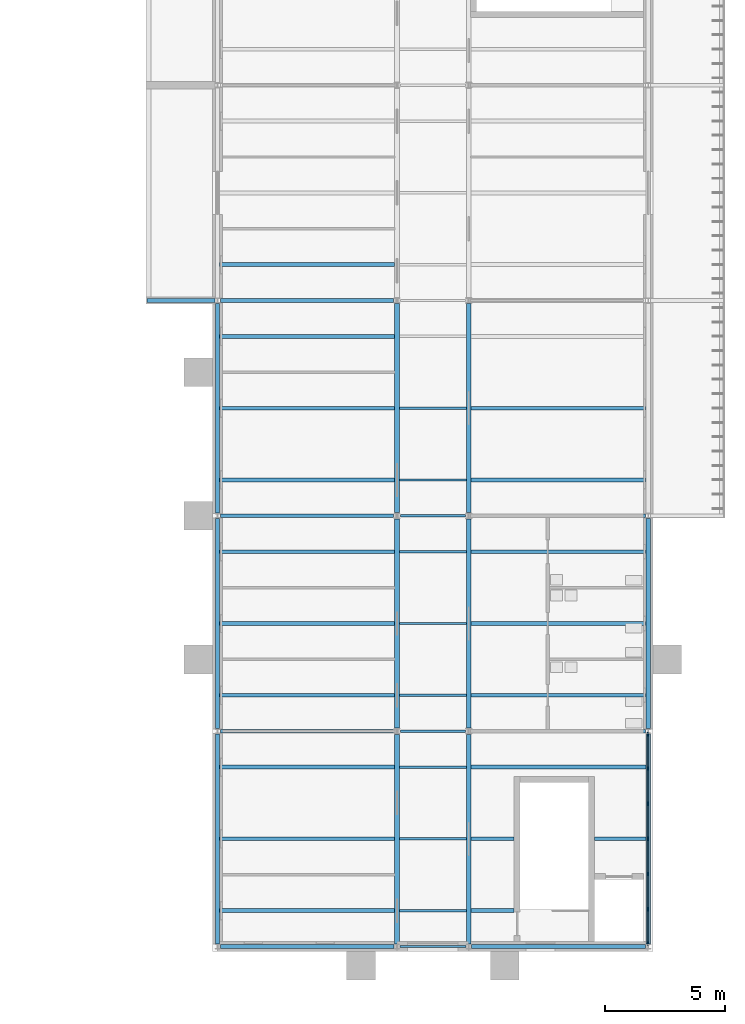
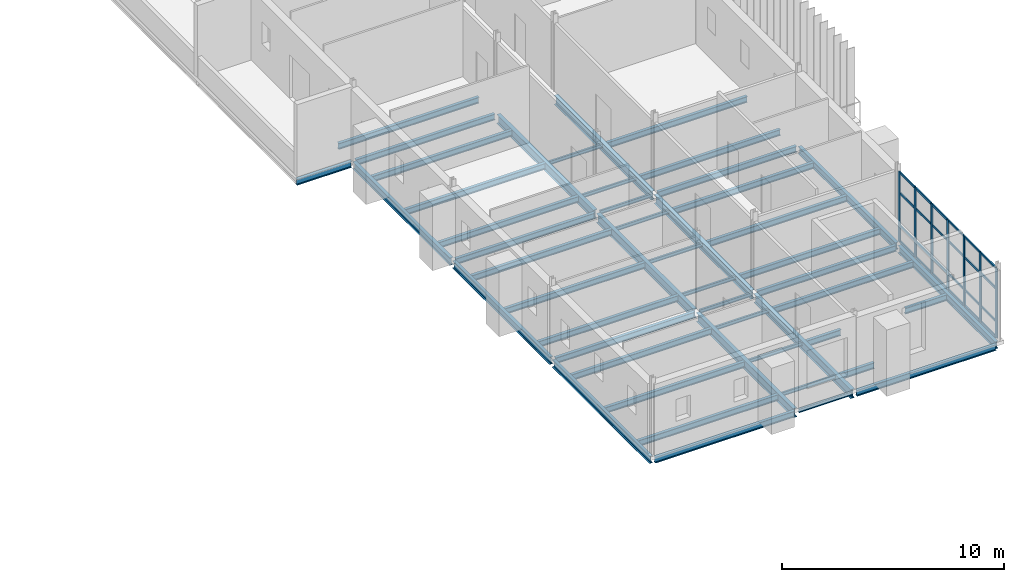
# One storey, part 56 of 131: 49 beams, 31 members, 1 element without a shape of its own.
"""IFC4 building model written with IfcOpenShell, lengths in metres."""

from ifc_helpers import new_model, si_unit, direction, frame, origin, origin_2d, place, context, subcontext, project, spatial, rectangle, i_section, extrude, material, layer, layer_set, material_profile, profile_set, type_object, element, aggregate, save


model = new_model("IFC4")

# Units and contexts
model_context = context("Model", 3, precision=1e-05, world=origin(), true_north=direction((0.0, 1.0)))
body_context = subcontext(model_context, "Body", "Model", "MODEL_VIEW")
ifc_project = project(units=[si_unit("LENGTHUNIT", "METRE"), si_unit("AREAUNIT", "SQUARE_METRE"), si_unit("VOLUMEUNIT", "CUBIC_METRE"), si_unit("PLANEANGLEUNIT", "RADIAN"), si_unit("MASSUNIT", "GRAM", prefix="KILO")], contexts=[model_context])

# Site, building, storey
site_placement = place(None, origin())
site = spatial("IfcSite", under=ifc_project, at=site_placement, CompositionType="ELEMENT")
building_placement = place(site_placement, origin())
building = spatial("IfcBuilding", under=site, at=building_placement, Name="Golden Quay Civic Hall", CompositionType="ELEMENT")
storey_placement = place(building_placement, frame((0.0, 0.0, 9.89990234375)))
storey = spatial("IfcBuildingStorey", under=building, at=storey_placement, Name="L02", CompositionType="ELEMENT", Elevation=9.89990234375)

# Curtain wall, members
ifc_material_1 = material(Name="Glass, laminated double glazed", Category="glass")
ifc_layer = layer(ifc_material_1, 0.199951171875)
ifc_layer_set = layer_set([ifc_layer], Name="Glazed core strip curtain wall")
curtain_wall_type = type_object("IfcCurtainWallType", Name="Glazed core strip curtain wall", PredefinedType="NOTDEFINED", material=ifc_layer_set)
curtain_wall_placement = place(storey_placement, origin())
curtain_wall = element("IfcCurtainWall", 1, at=curtain_wall_placement, inside=storey, type_object=curtain_wall_type, Name="Glazed core strip curtain wall L02 5", PredefinedType="NOTDEFINED")
ifc_material_2 = material(Name="Aluminium, anodised", Category="aluminium")
ifc_material_profile_1 = material_profile(ifc_material_2, rectangle(XDim=0.06005859375, YDim=0.159912109375, at=origin_2d()), Name="Aluminium 60 x 160")
ifc_profile_set_1 = profile_set([ifc_material_profile_1], Name="Aluminium, anodised")
member_type_1 = type_object("IfcMemberType", Name="Aluminium mullion 60 x 160", PredefinedType="MULLION", material=ifc_profile_set_1)
member_1_placement = place(storey_placement, frame((171.0, -0.125, 0.0), z_axis=(0.0, 0.0, 1.0), x_axis=(1.0, 0.0, 0.0)))
member_1 = element("IfcMember", 2, at=member_1_placement, type_object=member_type_1, Name="CW2 mullion 1", PredefinedType="MULLION", context=body_context, shape_type="SweptSolid", body=[
    extrude(rectangle(XDim=0.06005859375, YDim=0.159912109375, at=origin_2d()), origin(), (0.0, 0.0, 1.0), 3.85009765625),
])
member_2_placement = place(storey_placement, frame((171.0, -1.563232421875, 0.0), z_axis=(0.0, 0.0, 1.0), x_axis=(1.0, 0.0, 0.0)))
member_2 = element("IfcMember", 3, at=member_2_placement, type_object=member_type_1, Name="CW2 mullion 2", PredefinedType="MULLION", context=body_context, shape_type="SweptSolid", body=[
    extrude(rectangle(XDim=0.06005859375, YDim=0.159912109375, at=origin_2d()), origin(), (0.0, 0.0, 1.0), 3.85009765625),
])
member_3_placement = place(storey_placement, frame((171.0, -3.03173828125, 0.0), z_axis=(0.0, 0.0, 1.0), x_axis=(1.0, 0.0, 0.0)))
member_3 = element("IfcMember", 4, at=member_3_placement, type_object=member_type_1, Name="CW2 mullion 3", PredefinedType="MULLION", context=body_context, shape_type="SweptSolid", body=[
    extrude(rectangle(XDim=0.06005859375, YDim=0.159912109375, at=origin_2d()), origin(), (0.0, 0.0, 1.0), 3.85009765625),
])
member_4_placement = place(storey_placement, frame((171.0, -4.5, 0.0), z_axis=(0.0, 0.0, 1.0), x_axis=(1.0, 0.0, 0.0)))
member_4 = element("IfcMember", 5, at=member_4_placement, type_object=member_type_1, Name="CW2 mullion 4", PredefinedType="MULLION", context=body_context, shape_type="SweptSolid", body=[
    extrude(rectangle(XDim=0.06005859375, YDim=0.159912109375, at=origin_2d()), origin(), (0.0, 0.0, 1.0), 3.85009765625),
])
member_5_placement = place(storey_placement, frame((171.0, -5.96826171875, 0.0), z_axis=(0.0, 0.0, 1.0), x_axis=(1.0, 0.0, 0.0)))
member_5 = element("IfcMember", 6, at=member_5_placement, type_object=member_type_1, Name="CW2 mullion 5", PredefinedType="MULLION", context=body_context, shape_type="SweptSolid", body=[
    extrude(rectangle(XDim=0.06005859375, YDim=0.159912109375, at=origin_2d()), origin(), (0.0, 0.0, 1.0), 3.85009765625),
])
member_6_placement = place(storey_placement, frame((171.0, -7.436767578125, 0.0), z_axis=(0.0, 0.0, 1.0), x_axis=(1.0, 0.0, 0.0)))
member_6 = element("IfcMember", 7, at=member_6_placement, type_object=member_type_1, Name="CW2 mullion 6", PredefinedType="MULLION", context=body_context, shape_type="SweptSolid", body=[
    extrude(rectangle(XDim=0.06005859375, YDim=0.159912109375, at=origin_2d()), origin(), (0.0, 0.0, 1.0), 3.85009765625),
])
member_7_placement = place(storey_placement, frame((171.0, -8.875, 0.0), z_axis=(0.0, 0.0, 1.0), x_axis=(1.0, 0.0, 0.0)))
member_7 = element("IfcMember", 8, at=member_7_placement, type_object=member_type_1, Name="CW2 mullion 7", PredefinedType="MULLION", context=body_context, shape_type="SweptSolid", body=[
    extrude(rectangle(XDim=0.06005859375, YDim=0.159912109375, at=origin_2d()), origin(), (0.0, 0.0, 1.0), 3.85009765625),
])
ifc_material_3 = material(Name="Aluminium, anodised", Category="aluminium")
ifc_material_profile_2 = material_profile(ifc_material_3, rectangle(XDim=0.06005859375, YDim=0.1201171875, at=origin_2d()), Name="Aluminium 60 x 120")
ifc_profile_set_2 = profile_set([ifc_material_profile_2], Name="Aluminium, anodised")
member_type_2 = type_object("IfcMemberType", Name="Aluminium transom 60 x 120", PredefinedType="USERDEFINED", material=ifc_profile_set_2)
member_8_placement = place(storey_placement, frame((171.0, -0.155029296875, 0.030029296875), z_axis=(0.0, -1.0, 0.0), x_axis=(1.0, 0.0, 0.0)))
member_8 = element("IfcMember", 9, at=member_8_placement, type_object=member_type_2, Name="CW2 transom 1.1", ObjectType="TRANSOM", PredefinedType="USERDEFINED", context=body_context, shape_type="SweptSolid", body=[
    extrude(rectangle(XDim=0.06005859375, YDim=0.1201171875, at=origin_2d()), origin(), (0.0, 0.0, 1.0), 1.37841796875),
])
member_9_placement = place(storey_placement, frame((171.0, -0.155029296875, 0.900146484375), z_axis=(0.0, -1.0, 0.0), x_axis=(1.0, 0.0, 0.0)))
member_9 = element("IfcMember", 10, at=member_9_placement, type_object=member_type_2, Name="CW2 transom 1.2", ObjectType="TRANSOM", PredefinedType="USERDEFINED", context=body_context, shape_type="SweptSolid", body=[
    extrude(rectangle(XDim=0.06005859375, YDim=0.1201171875, at=origin_2d()), origin(), (0.0, 0.0, 1.0), 1.37841796875),
])
member_10_placement = place(storey_placement, frame((171.0, -0.155029296875, 2.7001953125), z_axis=(0.0, -1.0, 0.0), x_axis=(1.0, 0.0, 0.0)))
member_10 = element("IfcMember", 11, at=member_10_placement, type_object=member_type_2, Name="CW2 transom 1.3", ObjectType="TRANSOM", PredefinedType="USERDEFINED", context=body_context, shape_type="SweptSolid", body=[
    extrude(rectangle(XDim=0.06005859375, YDim=0.1201171875, at=origin_2d()), origin(), (0.0, 0.0, 1.0), 1.37841796875),
])
member_11_placement = place(storey_placement, frame((171.0, -0.155029296875, 3.820068359375), z_axis=(0.0, -1.0, 0.0), x_axis=(1.0, 0.0, 0.0)))
member_11 = element("IfcMember", 12, at=member_11_placement, type_object=member_type_2, Name="CW2 transom 1.4", ObjectType="TRANSOM", PredefinedType="USERDEFINED", context=body_context, shape_type="SweptSolid", body=[
    extrude(rectangle(XDim=0.06005859375, YDim=0.1201171875, at=origin_2d()), origin(), (0.0, 0.0, 1.0), 1.37841796875),
])
member_12_placement = place(storey_placement, frame((171.0, -1.59326171875, 0.030029296875), z_axis=(0.0, -1.0, 0.0), x_axis=(1.0, 0.0, 0.0)))
member_12 = element("IfcMember", 13, at=member_12_placement, type_object=member_type_2, Name="CW2 transom 2.1", ObjectType="TRANSOM", PredefinedType="USERDEFINED", context=body_context, shape_type="SweptSolid", body=[
    extrude(rectangle(XDim=0.06005859375, YDim=0.1201171875, at=origin_2d()), origin(), (0.0, 0.0, 1.0), 1.408447265625),
])
member_13_placement = place(storey_placement, frame((171.0, -1.59326171875, 0.900146484375), z_axis=(0.0, -1.0, 0.0), x_axis=(1.0, 0.0, 0.0)))
member_13 = element("IfcMember", 14, at=member_13_placement, type_object=member_type_2, Name="CW2 transom 2.2", ObjectType="TRANSOM", PredefinedType="USERDEFINED", context=body_context, shape_type="SweptSolid", body=[
    extrude(rectangle(XDim=0.06005859375, YDim=0.1201171875, at=origin_2d()), origin(), (0.0, 0.0, 1.0), 1.408447265625),
])
member_14_placement = place(storey_placement, frame((171.0, -1.59326171875, 2.7001953125), z_axis=(0.0, -1.0, 0.0), x_axis=(1.0, 0.0, 0.0)))
member_14 = element("IfcMember", 15, at=member_14_placement, type_object=member_type_2, Name="CW2 transom 2.3", ObjectType="TRANSOM", PredefinedType="USERDEFINED", context=body_context, shape_type="SweptSolid", body=[
    extrude(rectangle(XDim=0.06005859375, YDim=0.1201171875, at=origin_2d()), origin(), (0.0, 0.0, 1.0), 1.408447265625),
])
member_15_placement = place(storey_placement, frame((171.0, -1.59326171875, 3.820068359375), z_axis=(0.0, -1.0, 0.0), x_axis=(1.0, 0.0, 0.0)))
member_15 = element("IfcMember", 16, at=member_15_placement, type_object=member_type_2, Name="CW2 transom 2.4", ObjectType="TRANSOM", PredefinedType="USERDEFINED", context=body_context, shape_type="SweptSolid", body=[
    extrude(rectangle(XDim=0.06005859375, YDim=0.1201171875, at=origin_2d()), origin(), (0.0, 0.0, 1.0), 1.408447265625),
])
member_16_placement = place(storey_placement, frame((171.0, -3.061767578125, 0.030029296875), z_axis=(0.0, -1.0, 0.0), x_axis=(1.0, 0.0, 0.0)))
member_16 = element("IfcMember", 17, at=member_16_placement, type_object=member_type_2, Name="CW2 transom 3.1", ObjectType="TRANSOM", PredefinedType="USERDEFINED", context=body_context, shape_type="SweptSolid", body=[
    extrude(rectangle(XDim=0.06005859375, YDim=0.1201171875, at=origin_2d()), origin(), (0.0, 0.0, 1.0), 1.408203125),
])
member_17_placement = place(storey_placement, frame((171.0, -3.061767578125, 0.900146484375), z_axis=(0.0, -1.0, 0.0), x_axis=(1.0, 0.0, 0.0)))
member_17 = element("IfcMember", 18, at=member_17_placement, type_object=member_type_2, Name="CW2 transom 3.2", ObjectType="TRANSOM", PredefinedType="USERDEFINED", context=body_context, shape_type="SweptSolid", body=[
    extrude(rectangle(XDim=0.06005859375, YDim=0.1201171875, at=origin_2d()), origin(), (0.0, 0.0, 1.0), 1.408203125),
])
member_18_placement = place(storey_placement, frame((171.0, -3.061767578125, 2.7001953125), z_axis=(0.0, -1.0, 0.0), x_axis=(1.0, 0.0, 0.0)))
member_18 = element("IfcMember", 19, at=member_18_placement, type_object=member_type_2, Name="CW2 transom 3.3", ObjectType="TRANSOM", PredefinedType="USERDEFINED", context=body_context, shape_type="SweptSolid", body=[
    extrude(rectangle(XDim=0.06005859375, YDim=0.1201171875, at=origin_2d()), origin(), (0.0, 0.0, 1.0), 1.408203125),
])
member_19_placement = place(storey_placement, frame((171.0, -3.061767578125, 3.820068359375), z_axis=(0.0, -1.0, 0.0), x_axis=(1.0, 0.0, 0.0)))
member_19 = element("IfcMember", 20, at=member_19_placement, type_object=member_type_2, Name="CW2 transom 3.4", ObjectType="TRANSOM", PredefinedType="USERDEFINED", context=body_context, shape_type="SweptSolid", body=[
    extrude(rectangle(XDim=0.06005859375, YDim=0.1201171875, at=origin_2d()), origin(), (0.0, 0.0, 1.0), 1.408203125),
])
member_20_placement = place(storey_placement, frame((171.0, -4.530029296875, 0.030029296875), z_axis=(0.0, -1.0, 0.0), x_axis=(1.0, 0.0, 0.0)))
member_20 = element("IfcMember", 21, at=member_20_placement, type_object=member_type_2, Name="CW2 transom 4.1", ObjectType="TRANSOM", PredefinedType="USERDEFINED", context=body_context, shape_type="SweptSolid", body=[
    extrude(rectangle(XDim=0.06005859375, YDim=0.1201171875, at=origin_2d()), origin(), (0.0, 0.0, 1.0), 1.408203125),
])
member_21_placement = place(storey_placement, frame((171.0, -4.530029296875, 0.900146484375), z_axis=(0.0, -1.0, 0.0), x_axis=(1.0, 0.0, 0.0)))
member_21 = element("IfcMember", 22, at=member_21_placement, type_object=member_type_2, Name="CW2 transom 4.2", ObjectType="TRANSOM", PredefinedType="USERDEFINED", context=body_context, shape_type="SweptSolid", body=[
    extrude(rectangle(XDim=0.06005859375, YDim=0.1201171875, at=origin_2d()), origin(), (0.0, 0.0, 1.0), 1.408203125),
])
member_22_placement = place(storey_placement, frame((171.0, -4.530029296875, 2.7001953125), z_axis=(0.0, -1.0, 0.0), x_axis=(1.0, 0.0, 0.0)))
member_22 = element("IfcMember", 23, at=member_22_placement, type_object=member_type_2, Name="CW2 transom 4.3", ObjectType="TRANSOM", PredefinedType="USERDEFINED", context=body_context, shape_type="SweptSolid", body=[
    extrude(rectangle(XDim=0.06005859375, YDim=0.1201171875, at=origin_2d()), origin(), (0.0, 0.0, 1.0), 1.408203125),
])
member_23_placement = place(storey_placement, frame((171.0, -4.530029296875, 3.820068359375), z_axis=(0.0, -1.0, 0.0), x_axis=(1.0, 0.0, 0.0)))
member_23 = element("IfcMember", 24, at=member_23_placement, type_object=member_type_2, Name="CW2 transom 4.4", ObjectType="TRANSOM", PredefinedType="USERDEFINED", context=body_context, shape_type="SweptSolid", body=[
    extrude(rectangle(XDim=0.06005859375, YDim=0.1201171875, at=origin_2d()), origin(), (0.0, 0.0, 1.0), 1.408203125),
])
member_24_placement = place(storey_placement, frame((171.0, -5.998291015625, 0.030029296875), z_axis=(0.0, -1.0, 0.0), x_axis=(1.0, 0.0, 0.0)))
member_24 = element("IfcMember", 25, at=member_24_placement, type_object=member_type_2, Name="CW2 transom 5.1", ObjectType="TRANSOM", PredefinedType="USERDEFINED", context=body_context, shape_type="SweptSolid", body=[
    extrude(rectangle(XDim=0.06005859375, YDim=0.1201171875, at=origin_2d()), origin(), (0.0, 0.0, 1.0), 1.408447265625),
])
member_25_placement = place(storey_placement, frame((171.0, -5.998291015625, 0.900146484375), z_axis=(0.0, -1.0, 0.0), x_axis=(1.0, 0.0, 0.0)))
member_25 = element("IfcMember", 26, at=member_25_placement, type_object=member_type_2, Name="CW2 transom 5.2", ObjectType="TRANSOM", PredefinedType="USERDEFINED", context=body_context, shape_type="SweptSolid", body=[
    extrude(rectangle(XDim=0.06005859375, YDim=0.1201171875, at=origin_2d()), origin(), (0.0, 0.0, 1.0), 1.408447265625),
])
member_26_placement = place(storey_placement, frame((171.0, -5.998291015625, 2.7001953125), z_axis=(0.0, -1.0, 0.0), x_axis=(1.0, 0.0, 0.0)))
member_26 = element("IfcMember", 27, at=member_26_placement, type_object=member_type_2, Name="CW2 transom 5.3", ObjectType="TRANSOM", PredefinedType="USERDEFINED", context=body_context, shape_type="SweptSolid", body=[
    extrude(rectangle(XDim=0.06005859375, YDim=0.1201171875, at=origin_2d()), origin(), (0.0, 0.0, 1.0), 1.408447265625),
])
member_27_placement = place(storey_placement, frame((171.0, -5.998291015625, 3.820068359375), z_axis=(0.0, -1.0, 0.0), x_axis=(1.0, 0.0, 0.0)))
member_27 = element("IfcMember", 28, at=member_27_placement, type_object=member_type_2, Name="CW2 transom 5.4", ObjectType="TRANSOM", PredefinedType="USERDEFINED", context=body_context, shape_type="SweptSolid", body=[
    extrude(rectangle(XDim=0.06005859375, YDim=0.1201171875, at=origin_2d()), origin(), (0.0, 0.0, 1.0), 1.408447265625),
])
member_28_placement = place(storey_placement, frame((171.0, -7.466552734375, 0.030029296875), z_axis=(0.0, -1.0, 0.0), x_axis=(1.0, 0.0, 0.0)))
member_28 = element("IfcMember", 29, at=member_28_placement, type_object=member_type_2, Name="CW2 transom 6.1", ObjectType="TRANSOM", PredefinedType="USERDEFINED", context=body_context, shape_type="SweptSolid", body=[
    extrude(rectangle(XDim=0.06005859375, YDim=0.1201171875, at=origin_2d()), origin(), (0.0, 0.0, 1.0), 1.37841796875),
])
member_29_placement = place(storey_placement, frame((171.0, -7.466552734375, 0.900146484375), z_axis=(0.0, -1.0, 0.0), x_axis=(1.0, 0.0, 0.0)))
member_29 = element("IfcMember", 30, at=member_29_placement, type_object=member_type_2, Name="CW2 transom 6.2", ObjectType="TRANSOM", PredefinedType="USERDEFINED", context=body_context, shape_type="SweptSolid", body=[
    extrude(rectangle(XDim=0.06005859375, YDim=0.1201171875, at=origin_2d()), origin(), (0.0, 0.0, 1.0), 1.37841796875),
])
member_30_placement = place(storey_placement, frame((171.0, -7.466552734375, 2.7001953125), z_axis=(0.0, -1.0, 0.0), x_axis=(1.0, 0.0, 0.0)))
member_30 = element("IfcMember", 31, at=member_30_placement, type_object=member_type_2, Name="CW2 transom 6.3", ObjectType="TRANSOM", PredefinedType="USERDEFINED", context=body_context, shape_type="SweptSolid", body=[
    extrude(rectangle(XDim=0.06005859375, YDim=0.1201171875, at=origin_2d()), origin(), (0.0, 0.0, 1.0), 1.37841796875),
])
member_31_placement = place(storey_placement, frame((171.0, -7.466552734375, 3.820068359375), z_axis=(0.0, -1.0, 0.0), x_axis=(1.0, 0.0, 0.0)))
member_31 = element("IfcMember", 32, at=member_31_placement, type_object=member_type_2, Name="CW2 transom 6.4", ObjectType="TRANSOM", PredefinedType="USERDEFINED", context=body_context, shape_type="SweptSolid", body=[
    extrude(rectangle(XDim=0.06005859375, YDim=0.1201171875, at=origin_2d()), origin(), (0.0, 0.0, 1.0), 1.37841796875),
])
aggregate(curtain_wall, [member_1, member_2, member_3, member_4, member_5, member_6, member_7, member_8, member_9, member_10, member_11, member_12, member_13, member_14, member_15, member_16, member_17, member_18, member_19, member_20, member_21, member_22, member_23, member_24, member_25, member_26, member_27, member_28, member_29, member_30, member_31])

# Beams
ifc_material_4 = material(Name="Steel S355", Category="steel")
ifc_material_profile_3 = material_profile(ifc_material_4, i_section(OverallWidth=0.159912109375, OverallDepth=0.330078125, WebThickness=0.007568359375, FlangeThickness=0.011474609375, FilletRadius=0.01806640625, at=origin_2d()), Name="IPE 330")
ifc_profile_set_3 = profile_set([ifc_material_profile_3], Name="Steel S355")
beam_type_1 = type_object("IfcBeamType", Name="Loggia stub IPE 330", PredefinedType="BEAM", material=ifc_profile_set_3)
beam_1_placement = place(storey_placement, frame((152.89990234375, 18.0, -0.364990234375), z_axis=(-1.0, 0.0, 0.0), x_axis=(0.0, -1.0, 0.0)))
element("IfcBeam", 33, at=beam_1_placement, inside=storey, type_object=beam_type_1, Name="Loggia stub IPE 330 L02 11", PredefinedType="BEAM", context=body_context, shape_type="SweptSolid", body=[
    extrude(i_section(OverallWidth=0.159912109375, OverallDepth=0.330078125, WebThickness=0.007568359375, FlangeThickness=0.011474609375, FilletRadius=0.01806640625, at=origin_2d()), origin(), (0.0, 0.0, 1.0), 2.849853515625),
])
ifc_material_5 = material(Name="Steel S355", Category="steel")
ifc_material_profile_4 = material_profile(ifc_material_5, i_section(OverallWidth=0.10009765625, OverallDepth=0.199951171875, WebThickness=0.005615234375, FlangeThickness=0.008544921875, FilletRadius=0.011962890625, at=origin_2d()), Name="IPE 200")
ifc_profile_set_4 = profile_set([ifc_material_profile_4], Name="Steel S355")
beam_type_2 = type_object("IfcBeamType", Name="Steel beam IPE 200", PredefinedType="BEAM", material=ifc_profile_set_4)
beam_2_placement = place(storey_placement, frame((160.6201171875, -9.0, -0.2998046875), z_axis=(1.0, 0.0, 0.0), x_axis=(0.0, 1.0, 0.0)))
element("IfcBeam", 34, at=beam_2_placement, inside=storey, type_object=beam_type_2, Name="Beam S-9-160.5", PredefinedType="BEAM", context=body_context, shape_type="SweptSolid", body=[
    extrude(i_section(OverallWidth=0.10009765625, OverallDepth=0.199951171875, WebThickness=0.005615234375, FlangeThickness=0.008544921875, FilletRadius=0.011962890625, at=origin_2d()), origin(), (0.0, 0.0, 1.0), 2.759765625),
])
for number, where, z_axis, x_axis, name in (
    (35, (160.639892578125, 0.0, -0.2998046875), (1.0, 0.0, 0.0), (0.0, 1.0, 0.0), "Beam S0-160.5"),
    (36, (160.639892578125, 9.0, -0.2998046875), (1.0, 0.0, 0.0), (0.0, 1.0, 0.0), "Beam S9-160.5"),
):
    element("IfcBeam", number, at=place(storey_placement, frame(where, z_axis=z_axis, x_axis=x_axis)), inside=storey, type_object=beam_type_2, Name=name, PredefinedType="BEAM", context=body_context, shape_type="SweptSolid", body=[
        extrude(i_section(OverallWidth=0.10009765625, OverallDepth=0.199951171875, WebThickness=0.005615234375, FlangeThickness=0.008544921875, FilletRadius=0.011962890625, at=origin_2d()), origin(), (0.0, 0.0, 1.0), 2.72021484375),
    ])
ifc_material_6 = material(Name="Steel S355", Category="steel")
ifc_material_profile_5 = material_profile(ifc_material_6, i_section(OverallWidth=0.159912109375, OverallDepth=0.330078125, WebThickness=0.007568359375, FlangeThickness=0.011474609375, FilletRadius=0.01806640625, at=origin_2d()), Name="IPE 330")
ifc_profile_set_5 = profile_set([ifc_material_profile_5], Name="Steel S355")
beam_type_3 = type_object("IfcBeamType", Name="Steel beam IPE 330", PredefinedType="BEAM", material=ifc_profile_set_5)
for number, where, z_axis, x_axis, name in (
    (37, (153.1201171875, -9.0, -0.364990234375), (1.0, 0.0, 0.0), (0.0, 1.0, 0.0), "Beam S-9-153"),
    (38, (163.6201171875, -9.0, -0.364990234375), (1.0, 0.0, 0.0), (0.0, 1.0, 0.0), "Beam S-9-163.5"),
):
    element("IfcBeam", number, at=place(storey_placement, frame(where, z_axis=z_axis, x_axis=x_axis)), inside=storey, type_object=beam_type_3, Name=name, PredefinedType="BEAM", context=body_context, shape_type="SweptSolid", body=[
        extrude(i_section(OverallWidth=0.159912109375, OverallDepth=0.330078125, WebThickness=0.007568359375, FlangeThickness=0.011474609375, FilletRadius=0.01806640625, at=origin_2d()), origin(), (0.0, 0.0, 1.0), 7.259765625),
    ])
for number, where, z_axis, x_axis, name in (
    (39, (153.1201171875, 0.0, -0.364990234375), (1.0, 0.0, 0.0), (0.0, 1.0, 0.0), "Beam S0-153"),
    (40, (163.639892578125, 0.0, -0.364990234375), (1.0, 0.0, 0.0), (0.0, 1.0, 0.0), "Beam S0-163.5"),
    (41, (153.1201171875, 9.0, -0.364990234375), (1.0, 0.0, 0.0), (0.0, 1.0, 0.0), "Beam S9-153"),
    (42, (163.639892578125, 9.0, -0.364990234375), (1.0, 0.0, 0.0), (0.0, 1.0, 0.0), "Beam S9-163.5"),
    (43, (153.1201171875, 18.0, -0.364990234375), (1.0, 0.0, 0.0), (0.0, 1.0, 0.0), "Beam S18-153"),
):
    element("IfcBeam", number, at=place(storey_placement, frame(where, z_axis=z_axis, x_axis=x_axis)), inside=storey, type_object=beam_type_3, Name=name, PredefinedType="BEAM", context=body_context, shape_type="SweptSolid", body=[
        extrude(i_section(OverallWidth=0.159912109375, OverallDepth=0.330078125, WebThickness=0.007568359375, FlangeThickness=0.011474609375, FilletRadius=0.01806640625, at=origin_2d()), origin(), (0.0, 0.0, 1.0), 7.239990234375),
    ])
ifc_material_7 = material(Name="Steel S355", Category="steel")
ifc_material_profile_6 = material_profile(ifc_material_7, i_section(OverallWidth=0.179931640625, OverallDepth=0.39990234375, WebThickness=0.008544921875, FlangeThickness=0.013427734375, FilletRadius=0.02099609375, at=origin_2d()), Name="IPE 400")
ifc_profile_set_6 = profile_set([ifc_material_profile_6], Name="Steel S355")
beam_type_4 = type_object("IfcBeamType", Name="Steel beam IPE 400", PredefinedType="BEAM", material=ifc_profile_set_6)
for number, where, z_axis, x_axis, name in (
    (44, (153.0, -8.885009765625, -0.39990234375), (0.0, 1.0, 0.0), (-1.0, 0.0, 0.0), "Beam L153--9"),
    (45, (153.0, 0.114990234375, -0.39990234375), (0.0, 1.0, 0.0), (-1.0, 0.0, 0.0), "Beam L153-0"),
    (46, (153.0, 9.114990234375, -0.39990234375), (0.0, 1.0, 0.0), (-1.0, 0.0, 0.0), "Beam L153-9"),
    (47, (171.0, -8.885009765625, -0.39990234375), (0.0, 1.0, 0.0), (-1.0, 0.0, 0.0), "Beam L171--9"),
    (48, (171.0, 0.114990234375, -0.39990234375), (0.0, 1.0, 0.0), (-1.0, 0.0, 0.0), "Beam L171-0"),
):
    element("IfcBeam", number, at=place(storey_placement, frame(where, z_axis=z_axis, x_axis=x_axis)), inside=storey, type_object=beam_type_4, Name=name, PredefinedType="BEAM", context=body_context, shape_type="SweptSolid", body=[
        extrude(i_section(OverallWidth=0.179931640625, OverallDepth=0.39990234375, WebThickness=0.008544921875, FlangeThickness=0.013427734375, FilletRadius=0.02099609375, at=origin_2d()), origin(), (0.0, 0.0, 1.0), 8.77001953125),
    ])
ifc_material_8 = material(Name="Steel S355", Category="steel")
ifc_material_profile_7 = material_profile(ifc_material_8, i_section(OverallWidth=0.199951171875, OverallDepth=0.5, WebThickness=0.01025390625, FlangeThickness=0.01611328125, FilletRadius=0.02099609375, at=origin_2d()), Name="IPE 500")
ifc_profile_set_7 = profile_set([ifc_material_profile_7], Name="Steel S355")
beam_type_5 = type_object("IfcBeamType", Name="Steel beam IPE 500", PredefinedType="BEAM", material=ifc_profile_set_7)
beam_3_placement = place(storey_placement, frame((160.5, -8.885009765625, -0.449951171875), z_axis=(0.0, 1.0, 0.0), x_axis=(-1.0, 0.0, 0.0)))
element("IfcBeam", 49, at=beam_3_placement, inside=storey, type_object=beam_type_5, Name="Beam L160.5--9", PredefinedType="BEAM", context=body_context, shape_type="SweptSolid", body=[
    extrude(i_section(OverallWidth=0.199951171875, OverallDepth=0.5, WebThickness=0.01025390625, FlangeThickness=0.01611328125, FilletRadius=0.02099609375, at=origin_2d()), origin(), (0.0, 0.0, 1.0), 8.75),
])
for number, where, z_axis, x_axis, name in (
    (50, (160.5, 0.135009765625, -0.449951171875), (0.0, 1.0, 0.0), (-1.0, 0.0, 0.0), "Beam L160.5-0"),
    (51, (160.5, 9.135009765625, -0.449951171875), (0.0, 1.0, 0.0), (-1.0, 0.0, 0.0), "Beam L160.5-9"),
):
    element("IfcBeam", number, at=place(storey_placement, frame(where, z_axis=z_axis, x_axis=x_axis)), inside=storey, type_object=beam_type_5, Name=name, PredefinedType="BEAM", context=body_context, shape_type="SweptSolid", body=[
        extrude(i_section(OverallWidth=0.199951171875, OverallDepth=0.5, WebThickness=0.01025390625, FlangeThickness=0.01611328125, FilletRadius=0.02099609375, at=origin_2d()), origin(), (0.0, 0.0, 1.0), 8.72998046875),
    ])
beam_4_placement = place(storey_placement, frame((163.5, -8.885009765625, -0.449951171875), z_axis=(0.0, 1.0, 0.0), x_axis=(-1.0, 0.0, 0.0)))
element("IfcBeam", 52, at=beam_4_placement, inside=storey, type_object=beam_type_5, Name="Beam L163.5--9", PredefinedType="BEAM", context=body_context, shape_type="SweptSolid", body=[
    extrude(i_section(OverallWidth=0.199951171875, OverallDepth=0.5, WebThickness=0.01025390625, FlangeThickness=0.01611328125, FilletRadius=0.02099609375, at=origin_2d()), origin(), (0.0, 0.0, 1.0), 8.75),
])
for number, where, z_axis, x_axis, name in (
    (53, (163.5, 0.135009765625, -0.449951171875), (0.0, 1.0, 0.0), (-1.0, 0.0, 0.0), "Beam L163.5-0"),
    (54, (163.5, 9.135009765625, -0.449951171875), (0.0, 1.0, 0.0), (-1.0, 0.0, 0.0), "Beam L163.5-9"),
):
    element("IfcBeam", number, at=place(storey_placement, frame(where, z_axis=z_axis, x_axis=x_axis)), inside=storey, type_object=beam_type_5, Name=name, PredefinedType="BEAM", context=body_context, shape_type="SweptSolid", body=[
        extrude(i_section(OverallWidth=0.199951171875, OverallDepth=0.5, WebThickness=0.01025390625, FlangeThickness=0.01611328125, FilletRadius=0.02099609375, at=origin_2d()), origin(), (0.0, 0.0, 1.0), 8.72998046875),
    ])
ifc_material_9 = material(Name="Steel S355", Category="steel")
ifc_material_profile_8 = material_profile(ifc_material_9, i_section(OverallWidth=0.10009765625, OverallDepth=0.199951171875, WebThickness=0.005615234375, FlangeThickness=0.008544921875, FilletRadius=0.011962890625, at=origin_2d()), Name="IPE 200")
ifc_profile_set_8 = profile_set([ifc_material_profile_8], Name="Steel S355")
beam_type_6 = type_object("IfcBeamType", Name="Steel joist IPE 200", PredefinedType="JOIST", material=ifc_profile_set_8)
for number, where, z_axis, x_axis, name in (
    (55, (160.60009765625, -7.5, -0.2998046875), (1.0, 0.0, 0.0), (0.0, 1.0, 0.0), "Joist J-7.5-160.5"),
    (56, (160.60009765625, -4.5, -0.2998046875), (1.0, 0.0, 0.0), (0.0, 1.0, 0.0), "Joist J-4.5-160.5"),
    (57, (160.60009765625, -1.5, -0.2998046875), (1.0, 0.0, 0.0), (0.0, 1.0, 0.0), "Joist J-1.5-160.5"),
    (58, (160.60009765625, 1.5, -0.2998046875), (1.0, 0.0, 0.0), (0.0, 1.0, 0.0), "Joist J1.5-160.5"),
    (59, (160.60009765625, 4.5, -0.2998046875), (1.0, 0.0, 0.0), (0.0, 1.0, 0.0), "Joist J4.5-160.5"),
    (60, (160.60009765625, 7.5, -0.2998046875), (1.0, 0.0, 0.0), (0.0, 1.0, 0.0), "Joist J7.5-160.5"),
    (61, (160.60009765625, 10.5, -0.2998046875), (1.0, 0.0, 0.0), (0.0, 1.0, 0.0), "Joist J10.5-160.5"),
    (62, (160.60009765625, 13.5, -0.2998046875), (1.0, 0.0, 0.0), (0.0, 1.0, 0.0), "Joist J13.5-160.5"),
):
    element("IfcBeam", number, at=place(storey_placement, frame(where, z_axis=z_axis, x_axis=x_axis)), inside=storey, type_object=beam_type_6, Name=name, PredefinedType="JOIST", context=body_context, shape_type="SweptSolid", body=[
        extrude(i_section(OverallWidth=0.10009765625, OverallDepth=0.199951171875, WebThickness=0.005615234375, FlangeThickness=0.008544921875, FilletRadius=0.011962890625, at=origin_2d()), origin(), (0.0, 0.0, 1.0), 2.7998046875),
    ])
ifc_material_10 = material(Name="Steel S355", Category="steel")
ifc_material_profile_9 = material_profile(ifc_material_10, i_section(OverallWidth=0.159912109375, OverallDepth=0.330078125, WebThickness=0.007568359375, FlangeThickness=0.011474609375, FilletRadius=0.01806640625, at=origin_2d()), Name="IPE 330")
ifc_profile_set_9 = profile_set([ifc_material_profile_9], Name="Steel S355")
beam_type_7 = type_object("IfcBeamType", Name="Steel joist IPE 330", PredefinedType="JOIST", material=ifc_profile_set_9)
beam_5_placement = place(storey_placement, frame((153.090087890625, -7.5, -0.364990234375), z_axis=(1.0, 0.0, 0.0), x_axis=(0.0, 1.0, 0.0)))
element("IfcBeam", 63, at=beam_5_placement, inside=storey, type_object=beam_type_7, Name="Joist J-7.5-153", PredefinedType="JOIST", context=body_context, shape_type="SweptSolid", body=[
    extrude(i_section(OverallWidth=0.159912109375, OverallDepth=0.330078125, WebThickness=0.007568359375, FlangeThickness=0.011474609375, FilletRadius=0.01806640625, at=origin_2d()), origin(), (0.0, 0.0, 1.0), 7.309814453125),
])
beam_6_placement = place(storey_placement, frame((163.60009765625, -7.5, -0.364990234375), z_axis=(1.0, 0.0, 0.0), x_axis=(0.0, 1.0, 0.0)))
element("IfcBeam", 64, at=beam_6_placement, inside=storey, type_object=beam_type_7, Name="Joist J-7.5-163.5-0", PredefinedType="JOIST", context=body_context, shape_type="SweptSolid", body=[
    extrude(i_section(OverallWidth=0.159912109375, OverallDepth=0.330078125, WebThickness=0.007568359375, FlangeThickness=0.011474609375, FilletRadius=0.01806640625, at=origin_2d()), origin(), (0.0, 0.0, 1.0), 1.7998046875),
])
beam_7_placement = place(storey_placement, frame((153.090087890625, -4.5, -0.364990234375), z_axis=(1.0, 0.0, 0.0), x_axis=(0.0, 1.0, 0.0)))
element("IfcBeam", 65, at=beam_7_placement, inside=storey, type_object=beam_type_7, Name="Joist J-4.5-153", PredefinedType="JOIST", context=body_context, shape_type="SweptSolid", body=[
    extrude(i_section(OverallWidth=0.159912109375, OverallDepth=0.330078125, WebThickness=0.007568359375, FlangeThickness=0.011474609375, FilletRadius=0.01806640625, at=origin_2d()), origin(), (0.0, 0.0, 1.0), 7.309814453125),
])
beam_8_placement = place(storey_placement, frame((163.60009765625, -4.5, -0.364990234375), z_axis=(1.0, 0.0, 0.0), x_axis=(0.0, 1.0, 0.0)))
element("IfcBeam", 66, at=beam_8_placement, inside=storey, type_object=beam_type_7, Name="Joist J-4.5-163.5-0", PredefinedType="JOIST", context=body_context, shape_type="SweptSolid", body=[
    extrude(i_section(OverallWidth=0.159912109375, OverallDepth=0.330078125, WebThickness=0.007568359375, FlangeThickness=0.011474609375, FilletRadius=0.01806640625, at=origin_2d()), origin(), (0.0, 0.0, 1.0), 1.7998046875),
])
beam_9_placement = place(storey_placement, frame((168.75, -4.5, -0.364990234375), z_axis=(1.0, 0.0, 0.0), x_axis=(0.0, 1.0, 0.0)))
element("IfcBeam", 67, at=beam_9_placement, inside=storey, type_object=beam_type_7, Name="Joist J-4.5-163.5-1", PredefinedType="JOIST", context=body_context, shape_type="SweptSolid", body=[
    extrude(i_section(OverallWidth=0.159912109375, OverallDepth=0.330078125, WebThickness=0.007568359375, FlangeThickness=0.011474609375, FilletRadius=0.01806640625, at=origin_2d()), origin(), (0.0, 0.0, 1.0), 2.159912109375),
])
for number, where, z_axis, x_axis, name in (
    (68, (153.090087890625, -1.5, -0.364990234375), (1.0, 0.0, 0.0), (0.0, 1.0, 0.0), "Joist J-1.5-153"),
    (69, (163.60009765625, -1.5, -0.364990234375), (1.0, 0.0, 0.0), (0.0, 1.0, 0.0), "Joist J-1.5-163.5"),
    (70, (153.090087890625, 1.5, -0.364990234375), (1.0, 0.0, 0.0), (0.0, 1.0, 0.0), "Joist J1.5-153"),
    (71, (163.60009765625, 1.5, -0.364990234375), (1.0, 0.0, 0.0), (0.0, 1.0, 0.0), "Joist J1.5-163.5"),
    (72, (153.090087890625, 4.5, -0.364990234375), (1.0, 0.0, 0.0), (0.0, 1.0, 0.0), "Joist J4.5-153"),
    (73, (163.60009765625, 4.5, -0.364990234375), (1.0, 0.0, 0.0), (0.0, 1.0, 0.0), "Joist J4.5-163.5"),
    (74, (153.090087890625, 7.5, -0.364990234375), (1.0, 0.0, 0.0), (0.0, 1.0, 0.0), "Joist J7.5-153"),
    (75, (163.60009765625, 7.5, -0.364990234375), (1.0, 0.0, 0.0), (0.0, 1.0, 0.0), "Joist J7.5-163.5"),
    (76, (153.090087890625, 10.5, -0.364990234375), (1.0, 0.0, 0.0), (0.0, 1.0, 0.0), "Joist J10.5-153"),
    (77, (163.60009765625, 10.5, -0.364990234375), (1.0, 0.0, 0.0), (0.0, 1.0, 0.0), "Joist J10.5-163.5"),
    (78, (153.090087890625, 13.5, -0.364990234375), (1.0, 0.0, 0.0), (0.0, 1.0, 0.0), "Joist J13.5-153"),
    (79, (163.60009765625, 13.5, -0.364990234375), (1.0, 0.0, 0.0), (0.0, 1.0, 0.0), "Joist J13.5-163.5"),
    (80, (153.090087890625, 16.5, -0.364990234375), (1.0, 0.0, 0.0), (0.0, 1.0, 0.0), "Joist J16.5-153"),
    (81, (153.090087890625, 19.5, -0.364990234375), (1.0, 0.0, 0.0), (0.0, 1.0, 0.0), "Joist J19.5-153"),
):
    element("IfcBeam", number, at=place(storey_placement, frame(where, z_axis=z_axis, x_axis=x_axis)), inside=storey, type_object=beam_type_7, Name=name, PredefinedType="JOIST", context=body_context, shape_type="SweptSolid", body=[
        extrude(i_section(OverallWidth=0.159912109375, OverallDepth=0.330078125, WebThickness=0.007568359375, FlangeThickness=0.011474609375, FilletRadius=0.01806640625, at=origin_2d()), origin(), (0.0, 0.0, 1.0), 7.309814453125),
    ])

save(model, "model.ifc")
